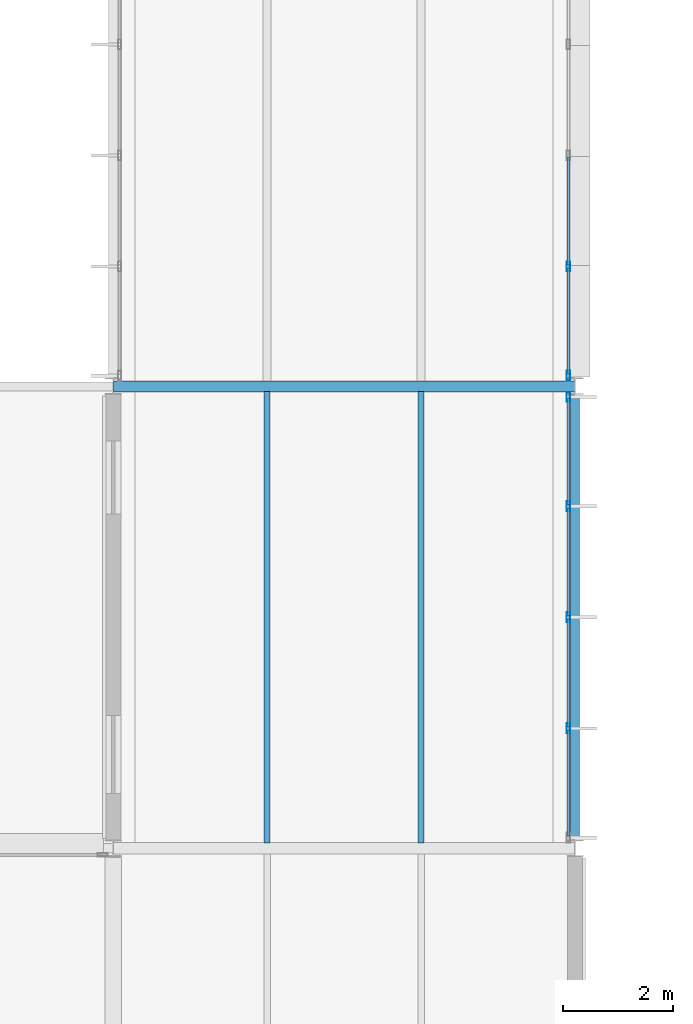
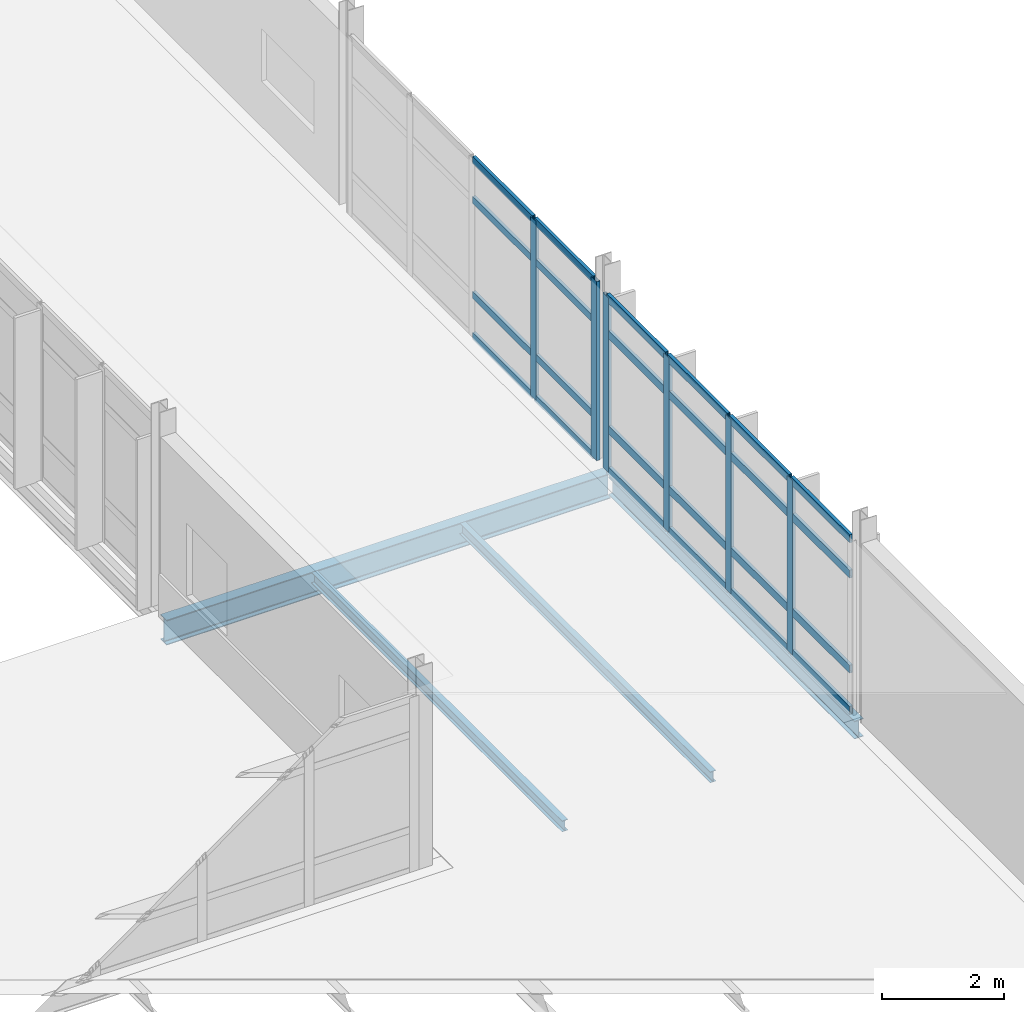
# One storey, part 34 of 66: 30 members, 4 beams, 2 elements without a shape of their own.
"""IFC4 building model written with IfcOpenShell, lengths in metres."""

from ifc_helpers import new_model, si_unit, direction, frame, origin, origin_2d, place, context, subcontext, project, spatial, hollow_rectangle, i_section, extrude, material, material_profile, profile_set, type_object, element, aggregate, save


model = new_model("IFC4")

# Units and contexts
model_context = context("Model", 3, precision=1e-05, world=origin(), true_north=direction((0.0, 1.0)))
body_context = subcontext(model_context, "Body", "Model", "MODEL_VIEW")
ifc_project = project(units=[si_unit("LENGTHUNIT", "METRE"), si_unit("AREAUNIT", "SQUARE_METRE"), si_unit("VOLUMEUNIT", "CUBIC_METRE"), si_unit("PLANEANGLEUNIT", "RADIAN"), si_unit("MASSUNIT", "GRAM", prefix="KILO")], contexts=[model_context])

# Site, building, storey
site_placement = place(None, origin())
site = spatial("IfcSite", under=ifc_project, at=site_placement, CompositionType="ELEMENT")
building_placement = place(site_placement, origin())
building = spatial("IfcBuilding", under=site, at=building_placement, Name="Mersafa Astral City Hall", CompositionType="ELEMENT")
storey_placement = place(building_placement, frame((0.0, 0.0, 22.050048828125)))
storey = spatial("IfcBuildingStorey", under=building, at=storey_placement, Name="L05", CompositionType="ELEMENT", Elevation=22.050048828125)

# Curtain wall, members
ifc_material_1 = material(Name="Anodised bronze aluminium framing", Category="aluminium")
curtain_wall_type_1 = type_object("IfcCurtainWallType", Name="ENV-CW-5", PredefinedType="USERDEFINED", material=ifc_material_1)
curtain_wall_1_placement = place(storey_placement, origin())
curtain_wall_1 = element("IfcCurtainWall", 1, at=curtain_wall_1_placement, inside=storey, type_object=curtain_wall_type_1, Name="L05 Unitised solar curtain wall 226", ObjectType="UNITISED CURTAIN WALL", PredefinedType="USERDEFINED")
ifc_material_profile_1 = material_profile(ifc_material_1, hollow_rectangle(XDim=0.06005859375, YDim=0.179931640625, WallThickness=0.00390625, at=origin_2d()), Name="RHS 60x180x4")
ifc_profile_set_1 = profile_set([ifc_material_profile_1], Name="Anodised bronze aluminium framing")
member_type_1 = type_object("IfcMemberType", Name="ENV-CW-MUL-1", PredefinedType="MULLION", material=ifc_profile_set_1)
member_1_placement = place(storey_placement, frame((176.280029296875, 77.781005859375, -0.001953125), z_axis=(0.0, 0.0, 1.0), x_axis=(-1.0, 0.0, 0.0)))
member_1 = element("IfcMember", 2, at=member_1_placement, type_object=member_type_1, Name="CW-5 mullion 2", PredefinedType="MULLION", context=body_context, shape_type="SweptSolid", body=[
    extrude(hollow_rectangle(XDim=0.06005859375, YDim=0.179931640625, WallThickness=0.00390625, at=origin_2d()), origin(), (0.0, 0.0, 1.0), 3.489013671875),
])
member_2_placement = place(storey_placement, frame((176.280029296875, 79.800048828125, -0.001953125), z_axis=(0.0, 0.0, 1.0), x_axis=(-1.0, 0.0, 0.0)))
member_2 = element("IfcMember", 3, at=member_2_placement, type_object=member_type_1, Name="CW-5 mullion 3", PredefinedType="MULLION", context=body_context, shape_type="SweptSolid", body=[
    extrude(hollow_rectangle(XDim=0.06005859375, YDim=0.179931640625, WallThickness=0.00390625, at=origin_2d()), origin(), (0.0, 0.0, 1.0), 3.489013671875),
])
member_3_placement = place(storey_placement, frame((176.280029296875, 81.819091796875, -0.001953125), z_axis=(0.0, 0.0, 1.0), x_axis=(-1.0, 0.0, 0.0)))
member_3 = element("IfcMember", 4, at=member_3_placement, type_object=member_type_1, Name="CW-5 mullion 4", PredefinedType="MULLION", context=body_context, shape_type="SweptSolid", body=[
    extrude(hollow_rectangle(XDim=0.06005859375, YDim=0.179931640625, WallThickness=0.00390625, at=origin_2d()), origin(), (0.0, 0.0, 1.0), 3.489013671875),
])
member_4_placement = place(storey_placement, frame((176.280029296875, 83.80810546875, -0.001953125), z_axis=(0.0, 0.0, 1.0), x_axis=(-1.0, 0.0, 0.0)))
member_4 = element("IfcMember", 5, at=member_4_placement, type_object=member_type_1, Name="CW-5 mullion 5", PredefinedType="MULLION", context=body_context, shape_type="SweptSolid", body=[
    extrude(hollow_rectangle(XDim=0.06005859375, YDim=0.179931640625, WallThickness=0.00390625, at=origin_2d()), origin(), (0.0, 0.0, 1.0), 3.489013671875),
])

curtain_wall_type_2 = type_object("IfcCurtainWallType", Name="ENV-CW-6", PredefinedType="USERDEFINED", material=ifc_material_1)
curtain_wall_2_placement = place(storey_placement, origin())
curtain_wall_2 = element("IfcCurtainWall", 6, at=curtain_wall_2_placement, inside=storey, type_object=curtain_wall_type_2, Name="L05 Unitised solar curtain wall 227", ObjectType="UNITISED CURTAIN WALL", PredefinedType="USERDEFINED")
member_5_placement = place(storey_placement, frame((176.280029296875, 84.19189453125, -0.001953125), z_axis=(0.0, 0.0, 1.0), x_axis=(-1.0, 0.0, 0.0)))
member_5 = element("IfcMember", 7, at=member_5_placement, type_object=member_type_1, Name="CW-6 mullion 1", PredefinedType="MULLION", context=body_context, shape_type="SweptSolid", body=[
    extrude(hollow_rectangle(XDim=0.06005859375, YDim=0.179931640625, WallThickness=0.00390625, at=origin_2d()), origin(), (0.0, 0.0, 1.0), 3.578857421875),
])
member_6_placement = place(storey_placement, frame((176.280029296875, 86.180908203125, -0.001953125), z_axis=(0.0, 0.0, 1.0), x_axis=(-1.0, 0.0, 0.0)))
member_6 = element("IfcMember", 8, at=member_6_placement, type_object=member_type_1, Name="CW-6 mullion 2", PredefinedType="MULLION", context=body_context, shape_type="SweptSolid", body=[
    extrude(hollow_rectangle(XDim=0.06005859375, YDim=0.179931640625, WallThickness=0.00390625, at=origin_2d()), origin(), (0.0, 0.0, 1.0), 3.578857421875),
])
ifc_material_profile_2 = material_profile(ifc_material_1, hollow_rectangle(XDim=0.06005859375, YDim=0.139892578125, WallThickness=0.00390625, at=origin_2d()), Name="RHS 60x140x4")
ifc_profile_set_2 = profile_set([ifc_material_profile_2], Name="Anodised bronze aluminium framing")
member_type_2 = type_object("IfcMemberType", Name="ENV-CW-TRN-1", PredefinedType="USERDEFINED", material=ifc_profile_set_2)
member_7_placement = place(storey_placement, frame((176.280029296875, 84.221923828125, 0.02783203125), z_axis=(0.0, 1.0, 0.0), x_axis=(-1.0, 0.0, 0.0)))
member_7 = element("IfcMember", 9, at=member_7_placement, type_object=member_type_2, Name="CW-6 transom 1.1", ObjectType="TRANSOM", PredefinedType="USERDEFINED", context=body_context, shape_type="SweptSolid", body=[
    extrude(hollow_rectangle(XDim=0.06005859375, YDim=0.139892578125, WallThickness=0.00390625, at=origin_2d()), origin(), (0.0, 0.0, 1.0), 1.928955078125),
])
member_8_placement = place(storey_placement, frame((176.280029296875, 84.221923828125, 0.849853515625), z_axis=(0.0, 1.0, 0.0), x_axis=(-1.0, 0.0, 0.0)))
member_8 = element("IfcMember", 10, at=member_8_placement, type_object=member_type_2, Name="CW-6 transom 1.2", ObjectType="TRANSOM", PredefinedType="USERDEFINED", context=body_context, shape_type="SweptSolid", body=[
    extrude(hollow_rectangle(XDim=0.06005859375, YDim=0.139892578125, WallThickness=0.00390625, at=origin_2d()), origin(), (0.0, 0.0, 1.0), 1.928955078125),
])
member_9_placement = place(storey_placement, frame((176.280029296875, 84.221923828125, 2.75), z_axis=(0.0, 1.0, 0.0), x_axis=(-1.0, 0.0, 0.0)))
member_9 = element("IfcMember", 11, at=member_9_placement, type_object=member_type_2, Name="CW-6 transom 1.3", ObjectType="TRANSOM", PredefinedType="USERDEFINED", context=body_context, shape_type="SweptSolid", body=[
    extrude(hollow_rectangle(XDim=0.06005859375, YDim=0.139892578125, WallThickness=0.00390625, at=origin_2d()), origin(), (0.0, 0.0, 1.0), 1.928955078125),
])
member_10_placement = place(storey_placement, frame((176.280029296875, 84.221923828125, 3.546875), z_axis=(0.0, 1.0, 0.0), x_axis=(-1.0, 0.0, 0.0)))
member_10 = element("IfcMember", 12, at=member_10_placement, type_object=member_type_2, Name="CW-6 transom 1.4", ObjectType="TRANSOM", PredefinedType="USERDEFINED", context=body_context, shape_type="SweptSolid", body=[
    extrude(hollow_rectangle(XDim=0.06005859375, YDim=0.139892578125, WallThickness=0.00390625, at=origin_2d()), origin(), (0.0, 0.0, 1.0), 1.928955078125),
])
member_11_placement = place(storey_placement, frame((176.280029296875, 86.2109375, 0.02783203125), z_axis=(0.0, 1.0, 0.0), x_axis=(-1.0, 0.0, 0.0)))
member_11 = element("IfcMember", 13, at=member_11_placement, type_object=member_type_2, Name="CW-6 transom 2.1", ObjectType="TRANSOM", PredefinedType="USERDEFINED", context=body_context, shape_type="SweptSolid", body=[
    extrude(hollow_rectangle(XDim=0.06005859375, YDim=0.139892578125, WallThickness=0.00390625, at=origin_2d()), origin(), (0.0, 0.0, 1.0), 1.958984375),
])
member_12_placement = place(storey_placement, frame((176.280029296875, 86.2109375, 0.849853515625), z_axis=(0.0, 1.0, 0.0), x_axis=(-1.0, 0.0, 0.0)))
member_12 = element("IfcMember", 14, at=member_12_placement, type_object=member_type_2, Name="CW-6 transom 2.2", ObjectType="TRANSOM", PredefinedType="USERDEFINED", context=body_context, shape_type="SweptSolid", body=[
    extrude(hollow_rectangle(XDim=0.06005859375, YDim=0.139892578125, WallThickness=0.00390625, at=origin_2d()), origin(), (0.0, 0.0, 1.0), 1.958984375),
])
member_13_placement = place(storey_placement, frame((176.280029296875, 86.2109375, 2.75), z_axis=(0.0, 1.0, 0.0), x_axis=(-1.0, 0.0, 0.0)))
member_13 = element("IfcMember", 15, at=member_13_placement, type_object=member_type_2, Name="CW-6 transom 2.3", ObjectType="TRANSOM", PredefinedType="USERDEFINED", context=body_context, shape_type="SweptSolid", body=[
    extrude(hollow_rectangle(XDim=0.06005859375, YDim=0.139892578125, WallThickness=0.00390625, at=origin_2d()), origin(), (0.0, 0.0, 1.0), 1.958984375),
])
member_14_placement = place(storey_placement, frame((176.280029296875, 86.2109375, 3.546875), z_axis=(0.0, 1.0, 0.0), x_axis=(-1.0, 0.0, 0.0)))
member_14 = element("IfcMember", 16, at=member_14_placement, type_object=member_type_2, Name="CW-6 transom 2.4", ObjectType="TRANSOM", PredefinedType="USERDEFINED", context=body_context, shape_type="SweptSolid", body=[
    extrude(hollow_rectangle(XDim=0.06005859375, YDim=0.139892578125, WallThickness=0.00390625, at=origin_2d()), origin(), (0.0, 0.0, 1.0), 1.958984375),
])
aggregate(curtain_wall_2, [member_5, member_6, member_7, member_8, member_9, member_10, member_11, member_12, member_13, member_14])

# Member
ifc_material_profile_3 = material_profile(ifc_material_1, hollow_rectangle(XDim=0.06005859375, YDim=0.159912109375, WallThickness=0.00390625, at=origin_2d()), Name="RHS 60x160x4")
ifc_profile_set_3 = profile_set([ifc_material_profile_3], Name="Anodised bronze aluminium framing")
member_type_3 = type_object("IfcMemberType", Name="ENV-CW-TRN-2", PredefinedType="USERDEFINED", material=ifc_profile_set_3)
member_15_placement = place(storey_placement, frame((176.280029296875, 75.822021484375, 0.02783203125), z_axis=(0.0, 1.0, 0.0), x_axis=(-1.0, 0.0, 0.0)))
member_15 = element("IfcMember", 17, at=member_15_placement, type_object=member_type_3, Name="CW-5 transom 1.1", ObjectType="TRANSOM", PredefinedType="USERDEFINED", context=body_context, shape_type="SweptSolid", body=[
    extrude(hollow_rectangle(XDim=0.06005859375, YDim=0.159912109375, WallThickness=0.00390625, at=origin_2d()), origin(), (0.0, 0.0, 1.0), 1.928955078125),
])

member_16_placement = place(storey_placement, frame((176.280029296875, 75.822021484375, 0.849853515625), z_axis=(0.0, 1.0, 0.0), x_axis=(-1.0, 0.0, 0.0)))
member_16 = element("IfcMember", 18, at=member_16_placement, type_object=member_type_3, Name="CW-5 transom 1.2", ObjectType="TRANSOM", PredefinedType="USERDEFINED", context=body_context, shape_type="SweptSolid", body=[
    extrude(hollow_rectangle(XDim=0.06005859375, YDim=0.159912109375, WallThickness=0.00390625, at=origin_2d()), origin(), (0.0, 0.0, 1.0), 1.928955078125),
])

member_17_placement = place(storey_placement, frame((176.280029296875, 75.822021484375, 2.75), z_axis=(0.0, 1.0, 0.0), x_axis=(-1.0, 0.0, 0.0)))
member_17 = element("IfcMember", 19, at=member_17_placement, type_object=member_type_3, Name="CW-5 transom 1.3", ObjectType="TRANSOM", PredefinedType="USERDEFINED", context=body_context, shape_type="SweptSolid", body=[
    extrude(hollow_rectangle(XDim=0.06005859375, YDim=0.159912109375, WallThickness=0.00390625, at=origin_2d()), origin(), (0.0, 0.0, 1.0), 1.928955078125),
])

member_18_placement = place(storey_placement, frame((176.280029296875, 75.822021484375, 3.45703125), z_axis=(0.0, 1.0, 0.0), x_axis=(-1.0, 0.0, 0.0)))
member_18 = element("IfcMember", 20, at=member_18_placement, type_object=member_type_3, Name="CW-5 transom 1.4", ObjectType="TRANSOM", PredefinedType="USERDEFINED", context=body_context, shape_type="SweptSolid", body=[
    extrude(hollow_rectangle(XDim=0.06005859375, YDim=0.159912109375, WallThickness=0.00390625, at=origin_2d()), origin(), (0.0, 0.0, 1.0), 1.928955078125),
])

member_19_placement = place(storey_placement, frame((176.280029296875, 77.81103515625, 0.02783203125), z_axis=(0.0, 1.0, 0.0), x_axis=(-1.0, 0.0, 0.0)))
member_19 = element("IfcMember", 21, at=member_19_placement, type_object=member_type_3, Name="CW-5 transom 2.1", ObjectType="TRANSOM", PredefinedType="USERDEFINED", context=body_context, shape_type="SweptSolid", body=[
    extrude(hollow_rectangle(XDim=0.06005859375, YDim=0.159912109375, WallThickness=0.00390625, at=origin_2d()), origin(), (0.0, 0.0, 1.0), 1.958984375),
])

member_20_placement = place(storey_placement, frame((176.280029296875, 77.81103515625, 0.849853515625), z_axis=(0.0, 1.0, 0.0), x_axis=(-1.0, 0.0, 0.0)))
member_20 = element("IfcMember", 22, at=member_20_placement, type_object=member_type_3, Name="CW-5 transom 2.2", ObjectType="TRANSOM", PredefinedType="USERDEFINED", context=body_context, shape_type="SweptSolid", body=[
    extrude(hollow_rectangle(XDim=0.06005859375, YDim=0.159912109375, WallThickness=0.00390625, at=origin_2d()), origin(), (0.0, 0.0, 1.0), 1.958984375),
])

member_21_placement = place(storey_placement, frame((176.280029296875, 77.81103515625, 2.75), z_axis=(0.0, 1.0, 0.0), x_axis=(-1.0, 0.0, 0.0)))
member_21 = element("IfcMember", 23, at=member_21_placement, type_object=member_type_3, Name="CW-5 transom 2.3", ObjectType="TRANSOM", PredefinedType="USERDEFINED", context=body_context, shape_type="SweptSolid", body=[
    extrude(hollow_rectangle(XDim=0.06005859375, YDim=0.159912109375, WallThickness=0.00390625, at=origin_2d()), origin(), (0.0, 0.0, 1.0), 1.958984375),
])

member_22_placement = place(storey_placement, frame((176.280029296875, 77.81103515625, 3.45703125), z_axis=(0.0, 1.0, 0.0), x_axis=(-1.0, 0.0, 0.0)))
member_22 = element("IfcMember", 24, at=member_22_placement, type_object=member_type_3, Name="CW-5 transom 2.4", ObjectType="TRANSOM", PredefinedType="USERDEFINED", context=body_context, shape_type="SweptSolid", body=[
    extrude(hollow_rectangle(XDim=0.06005859375, YDim=0.159912109375, WallThickness=0.00390625, at=origin_2d()), origin(), (0.0, 0.0, 1.0), 1.958984375),
])

member_23_placement = place(storey_placement, frame((176.280029296875, 79.830078125, 0.02783203125), z_axis=(0.0, 1.0, 0.0), x_axis=(-1.0, 0.0, 0.0)))
member_23 = element("IfcMember", 25, at=member_23_placement, type_object=member_type_3, Name="CW-5 transom 3.1", ObjectType="TRANSOM", PredefinedType="USERDEFINED", context=body_context, shape_type="SweptSolid", body=[
    extrude(hollow_rectangle(XDim=0.06005859375, YDim=0.159912109375, WallThickness=0.00390625, at=origin_2d()), origin(), (0.0, 0.0, 1.0), 1.958984375),
])

member_24_placement = place(storey_placement, frame((176.280029296875, 79.830078125, 0.849853515625), z_axis=(0.0, 1.0, 0.0), x_axis=(-1.0, 0.0, 0.0)))
member_24 = element("IfcMember", 26, at=member_24_placement, type_object=member_type_3, Name="CW-5 transom 3.2", ObjectType="TRANSOM", PredefinedType="USERDEFINED", context=body_context, shape_type="SweptSolid", body=[
    extrude(hollow_rectangle(XDim=0.06005859375, YDim=0.159912109375, WallThickness=0.00390625, at=origin_2d()), origin(), (0.0, 0.0, 1.0), 1.958984375),
])

member_25_placement = place(storey_placement, frame((176.280029296875, 79.830078125, 2.75), z_axis=(0.0, 1.0, 0.0), x_axis=(-1.0, 0.0, 0.0)))
member_25 = element("IfcMember", 27, at=member_25_placement, type_object=member_type_3, Name="CW-5 transom 3.3", ObjectType="TRANSOM", PredefinedType="USERDEFINED", context=body_context, shape_type="SweptSolid", body=[
    extrude(hollow_rectangle(XDim=0.06005859375, YDim=0.159912109375, WallThickness=0.00390625, at=origin_2d()), origin(), (0.0, 0.0, 1.0), 1.958984375),
])

member_26_placement = place(storey_placement, frame((176.280029296875, 79.830078125, 3.45703125), z_axis=(0.0, 1.0, 0.0), x_axis=(-1.0, 0.0, 0.0)))
member_26 = element("IfcMember", 28, at=member_26_placement, type_object=member_type_3, Name="CW-5 transom 3.4", ObjectType="TRANSOM", PredefinedType="USERDEFINED", context=body_context, shape_type="SweptSolid", body=[
    extrude(hollow_rectangle(XDim=0.06005859375, YDim=0.159912109375, WallThickness=0.00390625, at=origin_2d()), origin(), (0.0, 0.0, 1.0), 1.958984375),
])

member_27_placement = place(storey_placement, frame((176.280029296875, 81.84912109375, 0.02783203125), z_axis=(0.0, 1.0, 0.0), x_axis=(-1.0, 0.0, 0.0)))
member_27 = element("IfcMember", 29, at=member_27_placement, type_object=member_type_3, Name="CW-5 transom 4.1", ObjectType="TRANSOM", PredefinedType="USERDEFINED", context=body_context, shape_type="SweptSolid", body=[
    extrude(hollow_rectangle(XDim=0.06005859375, YDim=0.159912109375, WallThickness=0.00390625, at=origin_2d()), origin(), (0.0, 0.0, 1.0), 1.928955078125),
])

member_28_placement = place(storey_placement, frame((176.280029296875, 81.84912109375, 0.849853515625), z_axis=(0.0, 1.0, 0.0), x_axis=(-1.0, 0.0, 0.0)))
member_28 = element("IfcMember", 30, at=member_28_placement, type_object=member_type_3, Name="CW-5 transom 4.2", ObjectType="TRANSOM", PredefinedType="USERDEFINED", context=body_context, shape_type="SweptSolid", body=[
    extrude(hollow_rectangle(XDim=0.06005859375, YDim=0.159912109375, WallThickness=0.00390625, at=origin_2d()), origin(), (0.0, 0.0, 1.0), 1.928955078125),
])

member_29_placement = place(storey_placement, frame((176.280029296875, 81.84912109375, 2.75), z_axis=(0.0, 1.0, 0.0), x_axis=(-1.0, 0.0, 0.0)))
member_29 = element("IfcMember", 31, at=member_29_placement, type_object=member_type_3, Name="CW-5 transom 4.3", ObjectType="TRANSOM", PredefinedType="USERDEFINED", context=body_context, shape_type="SweptSolid", body=[
    extrude(hollow_rectangle(XDim=0.06005859375, YDim=0.159912109375, WallThickness=0.00390625, at=origin_2d()), origin(), (0.0, 0.0, 1.0), 1.928955078125),
])

member_30_placement = place(storey_placement, frame((176.280029296875, 81.84912109375, 3.45703125), z_axis=(0.0, 1.0, 0.0), x_axis=(-1.0, 0.0, 0.0)))
member_30 = element("IfcMember", 32, at=member_30_placement, type_object=member_type_3, Name="CW-5 transom 4.4", ObjectType="TRANSOM", PredefinedType="USERDEFINED", context=body_context, shape_type="SweptSolid", body=[
    extrude(hollow_rectangle(XDim=0.06005859375, YDim=0.159912109375, WallThickness=0.00390625, at=origin_2d()), origin(), (0.0, 0.0, 1.0), 1.928955078125),
])

aggregate(curtain_wall_1, [member_1, member_2, member_3, member_4, member_15, member_16, member_17, member_18, member_19, member_20, member_21, member_22, member_23, member_24, member_25, member_26, member_27, member_28, member_29, member_30])

# Beams
ifc_material_2 = material(Name="Steel S355", Category="steel")
ifc_material_profile_4 = material_profile(ifc_material_2, i_section(OverallWidth=0.199951171875, OverallDepth=0.5, WebThickness=0.01025390625, FlangeThickness=0.01611328125, FilletRadius=0.02099609375, at=origin_2d()), Name="IPE 500")
ifc_profile_set_4 = profile_set([ifc_material_profile_4], Name="Steel S355")
beam_type_1 = type_object("IfcBeamType", Name="STR-BM-IPE500", PredefinedType="BEAM", material=ifc_profile_set_4)
beam_1_placement = place(storey_placement, frame((168.0029296875, 84.0, -0.429931640625), z_axis=(1.0, 0.0, 0.0), x_axis=(0.0, 1.0, 0.0)))
element("IfcBeam", 33, at=beam_1_placement, inside=storey, type_object=beam_type_1, Name="L05 Primary girder X 20-10", PredefinedType="BEAM", context=body_context, shape_type="SweptSolid", body=[
    extrude(i_section(OverallWidth=0.199951171875, OverallDepth=0.5, WebThickness=0.01025390625, FlangeThickness=0.01611328125, FilletRadius=0.02099609375, at=origin_2d()), origin(), (0.0, 0.0, 1.0), 8.39404296875),
])
ifc_material_profile_5 = material_profile(ifc_material_2, i_section(OverallWidth=0.110107421875, OverallDepth=0.219970703125, WebThickness=0.005859375, FlangeThickness=0.00927734375, FilletRadius=0.011962890625, at=origin_2d()), Name="IPE 220")
ifc_profile_set_5 = profile_set([ifc_material_profile_5], Name="Steel S355")
beam_type_2 = type_object("IfcBeamType", Name="STR-BM-JOIST-IPE220", PredefinedType="JOIST", material=ifc_profile_set_5)
for number, where, z_axis, x_axis, name in (
    (34, (170.800048828125, 75.699951171875, -0.2900390625), (0.0, 1.0, 0.0), (-1.0, 0.0, 0.0), "L05 Composite secondary floor joist 832"),
    (35, (173.60009765625, 75.699951171875, -0.2900390625), (0.0, 1.0, 0.0), (-1.0, 0.0, 0.0), "L05 Composite secondary floor joist 833"),
):
    element("IfcBeam", number, at=place(storey_placement, frame(where, z_axis=z_axis, x_axis=x_axis)), inside=storey, type_object=beam_type_2, Name=name, PredefinedType="JOIST", context=body_context, shape_type="SweptSolid", body=[
        extrude(i_section(OverallWidth=0.110107421875, OverallDepth=0.219970703125, WebThickness=0.005859375, FlangeThickness=0.00927734375, FilletRadius=0.011962890625, at=origin_2d()), origin(), (0.0, 0.0, 1.0), 8.205078125),
    ])
ifc_material_profile_6 = material_profile(ifc_material_2, i_section(OverallWidth=0.169921875, OverallDepth=0.360107421875, WebThickness=0.008056640625, FlangeThickness=0.0126953125, FilletRadius=0.01806640625, at=origin_2d()), Name="IPE 360")
ifc_profile_set_6 = profile_set([ifc_material_profile_6], Name="Steel S355")
beam_type_3 = type_object("IfcBeamType", Name="STR-BM-SPANDREL-IPE360", PredefinedType="SPANDREL", material=ifc_profile_set_6)
beam_2_placement = place(storey_placement, frame((176.39990234375, 75.77490234375, -0.360107421875), z_axis=(0.0, 1.0, 0.0), x_axis=(-1.0, 0.0, 0.0)))
element("IfcBeam", 36, at=beam_2_placement, inside=storey, type_object=beam_type_3, Name="L05 Primary girder Y 21-9", PredefinedType="SPANDREL", context=body_context, shape_type="SweptSolid", body=[
    extrude(i_section(OverallWidth=0.169921875, OverallDepth=0.360107421875, WebThickness=0.008056640625, FlangeThickness=0.0126953125, FilletRadius=0.01806640625, at=origin_2d()), origin(), (0.0, 0.0, 1.0), 8.06005859375),
])

save(model, "model.ifc")
